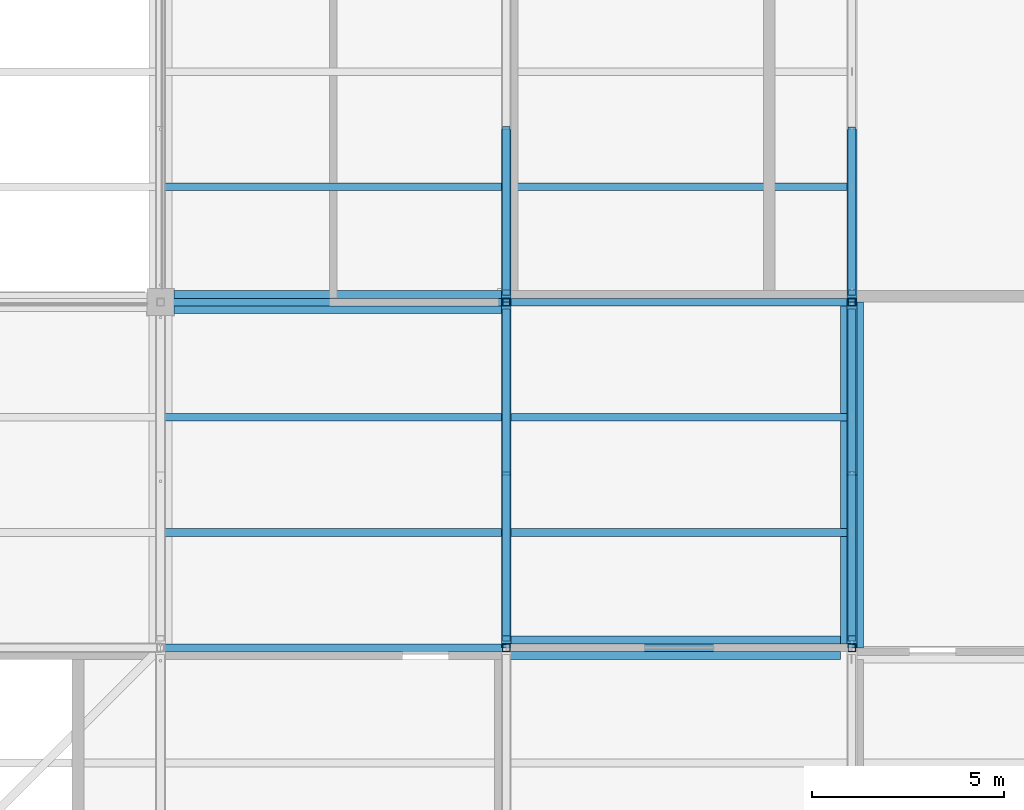
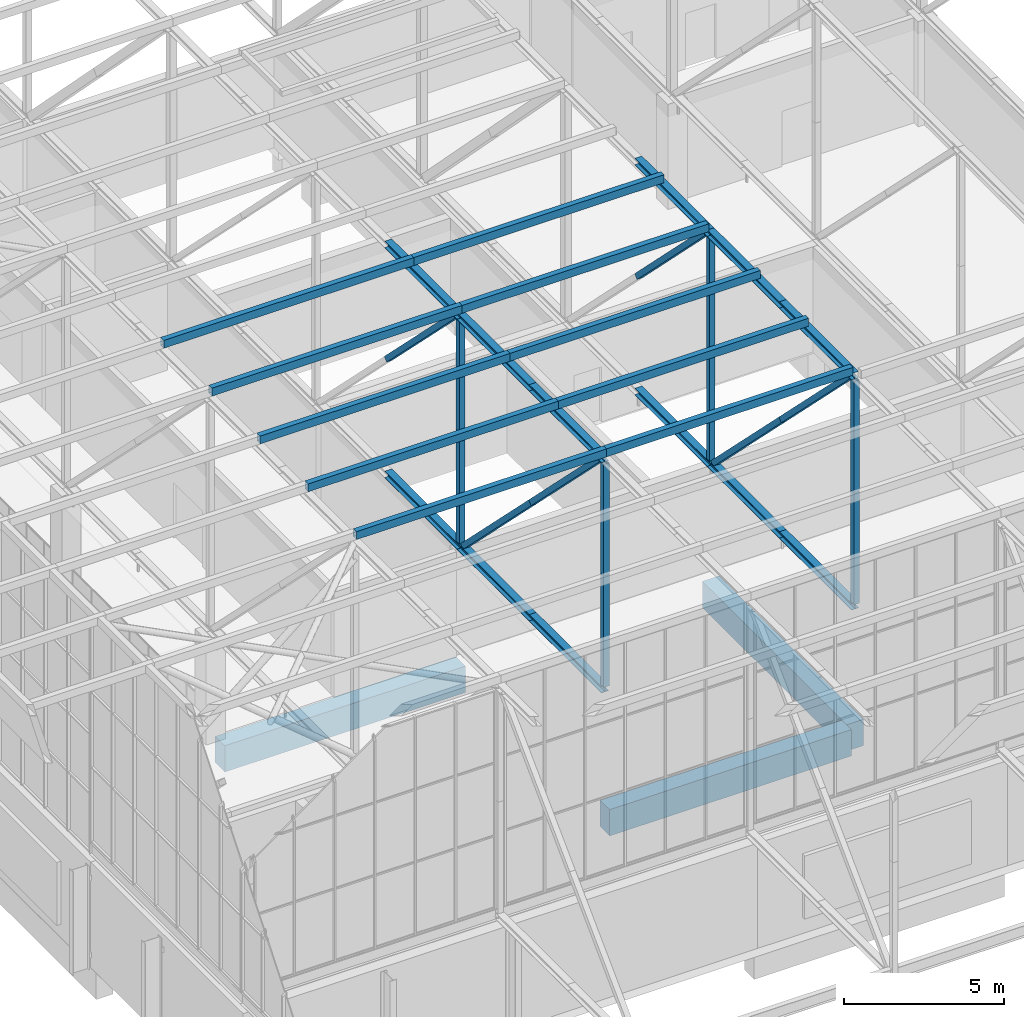
# One storey, part 15 of 646: 36 members, 3 beams.
"""IFC4 building model written with IfcOpenShell, lengths in metres."""

from ifc_helpers import new_model, si_unit, direction, frame, origin, origin_2d, place, context, subcontext, project, spatial, rectangle, hollow_rectangle, i_section, extrude, material, material_profile, profile_set, type_object, element, save


model = new_model("IFC4")

# Units and contexts
model_context = context("Model", 3, precision=1e-05, world=origin(), true_north=direction((0.0, 1.0)))
body_context = subcontext(model_context, "Body", "Model", "MODEL_VIEW")
ifc_project = project(units=[si_unit("LENGTHUNIT", "METRE"), si_unit("AREAUNIT", "SQUARE_METRE"), si_unit("VOLUMEUNIT", "CUBIC_METRE"), si_unit("PLANEANGLEUNIT", "RADIAN"), si_unit("MASSUNIT", "GRAM", prefix="KILO")], contexts=[model_context])

# Site, building, storey
site_placement = place(None, origin())
site = spatial("IfcSite", under=ifc_project, at=site_placement, CompositionType="ELEMENT")
building_placement = place(site_placement, origin())
building = spatial("IfcBuilding", under=site, at=building_placement, Name="Silverbay Arena", CompositionType="ELEMENT")
storey_placement = place(building_placement, frame((0.0, 0.0, 33.5)))
storey = spatial("IfcBuildingStorey", under=building, at=storey_placement, Name="L05", CompositionType="ELEMENT", Elevation=33.5)

# Members
ifc_material_1 = material(Name="Steel S355", Category="steel")
ifc_material_profile_1 = material_profile(ifc_material_1, i_section(OverallWidth=0.254638671875, OverallDepth=0.254150390625, WebThickness=0.008544921875, FlangeThickness=0.01416015625, at=origin_2d()), Name="UC 254x254x73")
ifc_profile_set_1 = profile_set([ifc_material_profile_1], Name="Steel S355")
member_type_1 = type_object("IfcMemberType", Name="Long-span bottom chord UC 254x254x73", PredefinedType="CHORD", material=ifc_profile_set_1)
for number, where, z_axis, x_axis, name in (
    (1, (81.0, 27.0, 4.126953125), (0.0, 1.0, 0.0), (-1.0, 0.0, 0.0), "ROOF TRUSS 10 bottom chord 03a"),
    (2, (81.0, 31.5, 4.126953125), (0.0, 1.0, 0.0), (-1.0, 0.0, 0.0), "ROOF TRUSS 10 bottom chord 03b"),
    (3, (81.0, 36.0, 4.126953125), (0.0, 1.0, 0.0), (-1.0, 0.0, 0.0), "ROOF TRUSS 10 bottom chord 04a"),
):
    element("IfcMember", number, at=place(storey_placement, frame(where, z_axis=z_axis, x_axis=x_axis)), inside=storey, type_object=member_type_1, Name=name, PredefinedType="CHORD", context=body_context, shape_type="SweptSolid", body=[
        extrude(i_section(OverallWidth=0.254638671875, OverallDepth=0.254150390625, WebThickness=0.008544921875, FlangeThickness=0.01416015625, at=origin_2d()), origin(), (0.0, 0.0, 1.0), 4.5),
    ])
ifc_material_2 = material(Name="Steel S355", Category="steel")
ifc_material_profile_2 = material_profile(ifc_material_2, i_section(OverallWidth=0.254638671875, OverallDepth=0.254150390625, WebThickness=0.008544921875, FlangeThickness=0.01416015625, at=origin_2d()), Name="UC 254x254x73")
ifc_profile_set_2 = profile_set([ifc_material_profile_2], Name="Steel S355")
member_type_2 = type_object("IfcMemberType", Name="Long-span top chord UC 254x254x73", PredefinedType="CHORD", material=ifc_profile_set_2)
for number, where, z_axis, x_axis, name in (
    (4, (81.0, 27.0, 12.873046875), (0.0, 1.0, 0.0), (-1.0, 0.0, 0.0), "ROOF TRUSS 10 top chord 03a"),
    (5, (81.0, 31.5, 12.873046875), (0.0, 1.0, 0.0), (-1.0, 0.0, 0.0), "ROOF TRUSS 10 top chord 03b"),
    (6, (81.0, 36.0, 12.873046875), (0.0, 1.0, 0.0), (-1.0, 0.0, 0.0), "ROOF TRUSS 10 top chord 04a"),
):
    element("IfcMember", number, at=place(storey_placement, frame(where, z_axis=z_axis, x_axis=x_axis)), inside=storey, type_object=member_type_2, Name=name, PredefinedType="CHORD", context=body_context, shape_type="SweptSolid", body=[
        extrude(i_section(OverallWidth=0.254638671875, OverallDepth=0.254150390625, WebThickness=0.008544921875, FlangeThickness=0.01416015625, at=origin_2d()), origin(), (0.0, 0.0, 1.0), 4.5),
    ])
ifc_material_3 = material(Name="Steel S355", Category="steel")
ifc_material_profile_3 = material_profile(ifc_material_3, hollow_rectangle(XDim=0.199951171875, YDim=0.199951171875, WallThickness=0.008056640625, at=origin_2d()), Name="SHS 200x200x8")
ifc_profile_set_3 = profile_set([ifc_material_profile_3], Name="Steel S355")
member_type_3 = type_object("IfcMemberType", Name="Long-span truss diagonal SHS 200x200x8", PredefinedType="BRACE", material=ifc_profile_set_3)
for number, where, z_axis, x_axis, name in (
    (7, (81.0, 27.24560546875, 12.745849609375), (0.0, 0.70781724692, -0.706395600894), (-1.0, 0.0, 0.0), "ROOF TRUSS 10 diagonal 03a"),
    (8, (81.0, 31.5, 8.5), (0.0, 0.70781724692, -0.706395600894), (-1.0, 0.0, 0.0), "ROOF TRUSS 10 diagonal 03b"),
):
    element("IfcMember", number, at=place(storey_placement, frame(where, z_axis=z_axis, x_axis=x_axis)), inside=storey, type_object=member_type_3, Name=name, PredefinedType="BRACE", context=body_context, shape_type="SweptSolid", body=[
        extrude(hollow_rectangle(XDim=0.199951171875, YDim=0.199951171875, WallThickness=0.008056640625, at=origin_2d()), origin(), (0.0, 0.0, 1.0), 6.010498046875),
    ])
member_1_placement = place(storey_placement, frame((81.0, 36.24560546875, 12.745849609375), z_axis=(0.0, 0.706781281828, -0.707432130778), x_axis=(-1.0, 0.0, 0.0)))
element("IfcMember", 9, at=member_1_placement, inside=storey, type_object=member_type_3, Name="ROOF TRUSS 10 diagonal 04a", PredefinedType="BRACE", context=body_context, shape_type="SweptSolid", body=[
    extrude(hollow_rectangle(XDim=0.199951171875, YDim=0.199951171875, WallThickness=0.008056640625, at=origin_2d()), origin(), (0.0, 0.0, 1.0), 6.001708984375),
])
ifc_material_4 = material(Name="Steel S355", Category="steel")
ifc_material_profile_4 = material_profile(ifc_material_4, hollow_rectangle(XDim=0.199951171875, YDim=0.199951171875, WallThickness=0.008056640625, at=origin_2d()), Name="SHS 200x200x8")
ifc_profile_set_4 = profile_set([ifc_material_profile_4], Name="Steel S355")
member_type_4 = type_object("IfcMemberType", Name="Long-span truss vertical SHS 200x200x8", PredefinedType="STRUT", material=ifc_profile_set_4)
for number, where, z_axis, x_axis, name in (
    (10, (81.0, 27.0, 4.254150390625), (0.0, 0.0, 1.0), (1.0, 0.0, 0.0), "ROOF TRUSS 10 vertical 03a"),
    (11, (81.0, 27.0, 8.5), (0.0, 0.0, 1.0), (1.0, 0.0, 0.0), "ROOF TRUSS 10 vertical 03b"),
    (12, (81.0, 36.0, 4.254150390625), (0.0, 0.0, 1.0), (1.0, 0.0, 0.0), "ROOF TRUSS 10 vertical 04a"),
    (13, (81.0, 36.0, 8.5), (0.0, 0.0, 1.0), (1.0, 0.0, 0.0), "ROOF TRUSS 10 vertical 04b"),
):
    element("IfcMember", number, at=place(storey_placement, frame(where, z_axis=z_axis, x_axis=x_axis)), inside=storey, type_object=member_type_4, Name=name, PredefinedType="STRUT", context=body_context, shape_type="SweptSolid", body=[
        extrude(hollow_rectangle(XDim=0.199951171875, YDim=0.199951171875, WallThickness=0.008056640625, at=origin_2d()), origin(), (0.0, 0.0, 1.0), 4.245849609375),
    ])
ifc_material_5 = material(Name="Steel S355", Category="steel")
ifc_material_profile_5 = material_profile(ifc_material_5, i_section(OverallWidth=0.254638671875, OverallDepth=0.254150390625, WebThickness=0.008544921875, FlangeThickness=0.01416015625, at=origin_2d()), Name="UC 254x254x73")
ifc_profile_set_5 = profile_set([ifc_material_profile_5], Name="Steel S355")
member_type_5 = type_object("IfcMemberType", Name="Medium-span bottom chord UC 254x254x73", PredefinedType="CHORD", material=ifc_profile_set_5)
for number, where, z_axis, x_axis, name in (
    (14, (72.0, 27.0, 4.126953125), (0.0, 1.0, 0.0), (-1.0, 0.0, 0.0), "ROOF TRUSS 9 bottom chord 03a"),
    (15, (72.0, 31.5, 4.126953125), (0.0, 1.0, 0.0), (-1.0, 0.0, 0.0), "ROOF TRUSS 9 bottom chord 03b"),
    (16, (72.0, 36.0, 4.126953125), (0.0, 1.0, 0.0), (-1.0, 0.0, 0.0), "ROOF TRUSS 9 bottom chord 04a"),
):
    element("IfcMember", number, at=place(storey_placement, frame(where, z_axis=z_axis, x_axis=x_axis)), inside=storey, type_object=member_type_5, Name=name, PredefinedType="CHORD", context=body_context, shape_type="SweptSolid", body=[
        extrude(i_section(OverallWidth=0.254638671875, OverallDepth=0.254150390625, WebThickness=0.008544921875, FlangeThickness=0.01416015625, at=origin_2d()), origin(), (0.0, 0.0, 1.0), 4.5),
    ])
ifc_material_6 = material(Name="Steel S355", Category="steel")
ifc_material_profile_6 = material_profile(ifc_material_6, i_section(OverallWidth=0.254638671875, OverallDepth=0.254150390625, WebThickness=0.008544921875, FlangeThickness=0.01416015625, at=origin_2d()), Name="UC 254x254x73")
ifc_profile_set_6 = profile_set([ifc_material_profile_6], Name="Steel S355")
member_type_6 = type_object("IfcMemberType", Name="Medium-span top chord UC 254x254x73", PredefinedType="CHORD", material=ifc_profile_set_6)
for number, where, z_axis, x_axis, name in (
    (17, (72.0, 27.0, 12.873046875), (0.0, 1.0, 0.0), (-1.0, 0.0, 0.0), "ROOF TRUSS 9 top chord 03a"),
    (18, (72.0, 31.5, 12.873046875), (0.0, 1.0, 0.0), (-1.0, 0.0, 0.0), "ROOF TRUSS 9 top chord 03b"),
    (19, (72.0, 36.0, 12.873046875), (0.0, 1.0, 0.0), (-1.0, 0.0, 0.0), "ROOF TRUSS 9 top chord 04a"),
):
    element("IfcMember", number, at=place(storey_placement, frame(where, z_axis=z_axis, x_axis=x_axis)), inside=storey, type_object=member_type_6, Name=name, PredefinedType="CHORD", context=body_context, shape_type="SweptSolid", body=[
        extrude(i_section(OverallWidth=0.254638671875, OverallDepth=0.254150390625, WebThickness=0.008544921875, FlangeThickness=0.01416015625, at=origin_2d()), origin(), (0.0, 0.0, 1.0), 4.5),
    ])
ifc_material_7 = material(Name="Steel S355", Category="steel")
ifc_material_profile_7 = material_profile(ifc_material_7, hollow_rectangle(XDim=0.199951171875, YDim=0.199951171875, WallThickness=0.008056640625, at=origin_2d()), Name="SHS 200x200x8")
ifc_profile_set_7 = profile_set([ifc_material_profile_7], Name="Steel S355")
member_type_7 = type_object("IfcMemberType", Name="Medium-span truss diagonal SHS 200x200x8", PredefinedType="BRACE", material=ifc_profile_set_7)
for number, where, z_axis, x_axis, name in (
    (20, (72.0, 27.24560546875, 12.745849609375), (0.0, 0.70781724692, -0.706395600894), (-1.0, 0.0, 0.0), "ROOF TRUSS 9 diagonal 03a"),
    (21, (72.0, 31.5, 8.5), (0.0, 0.70781724692, -0.706395600894), (-1.0, 0.0, 0.0), "ROOF TRUSS 9 diagonal 03b"),
    (22, (72.0, 36.24560546875, 12.745849609375), (0.0, 0.70781724692, -0.706395600894), (-1.0, 0.0, 0.0), "ROOF TRUSS 9 diagonal 04a"),
):
    element("IfcMember", number, at=place(storey_placement, frame(where, z_axis=z_axis, x_axis=x_axis)), inside=storey, type_object=member_type_7, Name=name, PredefinedType="BRACE", context=body_context, shape_type="SweptSolid", body=[
        extrude(hollow_rectangle(XDim=0.199951171875, YDim=0.199951171875, WallThickness=0.008056640625, at=origin_2d()), origin(), (0.0, 0.0, 1.0), 6.010498046875),
    ])
ifc_material_8 = material(Name="Steel S355", Category="steel")
ifc_material_profile_8 = material_profile(ifc_material_8, hollow_rectangle(XDim=0.199951171875, YDim=0.199951171875, WallThickness=0.008056640625, at=origin_2d()), Name="SHS 200x200x8")
ifc_profile_set_8 = profile_set([ifc_material_profile_8], Name="Steel S355")
member_type_8 = type_object("IfcMemberType", Name="Medium-span truss vertical SHS 200x200x8", PredefinedType="STRUT", material=ifc_profile_set_8)
for number, where, z_axis, x_axis, name in (
    (23, (72.0, 27.0, 4.254150390625), (0.0, 0.0, 1.0), (1.0, 0.0, 0.0), "ROOF TRUSS 9 vertical 03a"),
    (24, (72.0, 27.0, 8.5), (0.0, 0.0, 1.0), (1.0, 0.0, 0.0), "ROOF TRUSS 9 vertical 03b"),
    (25, (72.0, 36.0, 4.254150390625), (0.0, 0.0, 1.0), (1.0, 0.0, 0.0), "ROOF TRUSS 9 vertical 04a"),
    (26, (72.0, 36.0, 8.5), (0.0, 0.0, 1.0), (1.0, 0.0, 0.0), "ROOF TRUSS 9 vertical 04b"),
):
    element("IfcMember", number, at=place(storey_placement, frame(where, z_axis=z_axis, x_axis=x_axis)), inside=storey, type_object=member_type_8, Name=name, PredefinedType="STRUT", context=body_context, shape_type="SweptSolid", body=[
        extrude(hollow_rectangle(XDim=0.199951171875, YDim=0.199951171875, WallThickness=0.008056640625, at=origin_2d()), origin(), (0.0, 0.0, 1.0), 4.245849609375),
    ])
ifc_material_9 = material(Name="Steel S355", Category="steel")
ifc_material_profile_9 = material_profile(ifc_material_9, hollow_rectangle(XDim=0.199951171875, YDim=0.300048828125, WallThickness=0.00634765625, at=origin_2d()), Name="RHS 300x200x6.3")
ifc_profile_set_9 = profile_set([ifc_material_profile_9], Name="Steel S355")
member_type_9 = type_object("IfcMemberType", Name="Purlin RHS 300x200x6.3", PredefinedType="PURLIN", material=ifc_profile_set_9)
for number, where, z_axis, x_axis, name in (
    (27, (63.0, 27.0, 13.14990234375), (1.0, 0.0, 0.0), (0.0, 1.0, 0.0), "ROOF PURLIN 8-9 line 07"),
    (28, (63.0, 30.0, 13.14990234375), (1.0, 0.0, 0.0), (0.0, 1.0, 0.0), "ROOF PURLIN 8-9 line 08"),
    (29, (63.0, 33.0, 13.14990234375), (1.0, 0.0, 0.0), (0.0, 1.0, 0.0), "ROOF PURLIN 8-9 line 09"),
    (30, (63.0, 36.0, 13.14990234375), (1.0, 0.0, 0.0), (0.0, 1.0, 0.0), "ROOF PURLIN 8-9 line 10"),
    (31, (63.0, 39.0, 13.14990234375), (1.0, 0.0, 0.0), (0.0, 1.0, 0.0), "ROOF PURLIN 8-9 line 11"),
):
    element("IfcMember", number, at=place(storey_placement, frame(where, z_axis=z_axis, x_axis=x_axis)), inside=storey, type_object=member_type_9, Name=name, PredefinedType="PURLIN", context=body_context, shape_type="SweptSolid", body=[
        extrude(hollow_rectangle(XDim=0.199951171875, YDim=0.300048828125, WallThickness=0.00634765625, at=origin_2d()), origin(), (0.0, 0.0, 1.0), 9.0),
    ])
member_2_placement = place(storey_placement, frame((72.0, 27.0, 13.14990234375), z_axis=(1.0, 0.0, 0.0), x_axis=(0.0, 1.0, 0.0)))
element("IfcMember", 32, at=member_2_placement, inside=storey, type_object=member_type_9, Name="ROOF PURLIN 9-10 line 07", PredefinedType="PURLIN", context=body_context, shape_type="SweptSolid", body=[
    extrude(hollow_rectangle(XDim=0.199951171875, YDim=0.300048828125, WallThickness=0.00634765625, at=origin_2d()), origin(), (0.0, 0.0, 1.0), 8.875),
])
for number, where, z_axis, x_axis, name in (
    (33, (72.0, 30.0, 13.14990234375), (1.0, 0.0, 0.0), (0.0, 1.0, 0.0), "ROOF PURLIN 9-10 line 08"),
    (34, (72.0, 33.0, 13.14990234375), (1.0, 0.0, 0.0), (0.0, 1.0, 0.0), "ROOF PURLIN 9-10 line 09"),
):
    element("IfcMember", number, at=place(storey_placement, frame(where, z_axis=z_axis, x_axis=x_axis)), inside=storey, type_object=member_type_9, Name=name, PredefinedType="PURLIN", context=body_context, shape_type="SweptSolid", body=[
        extrude(hollow_rectangle(XDim=0.199951171875, YDim=0.300048828125, WallThickness=0.00634765625, at=origin_2d()), origin(), (0.0, 0.0, 1.0), 9.0),
    ])
member_3_placement = place(storey_placement, frame((72.0, 36.0, 13.14990234375), z_axis=(1.0, 0.0, 0.0), x_axis=(0.0, 1.0, 0.0)))
element("IfcMember", 35, at=member_3_placement, inside=storey, type_object=member_type_9, Name="ROOF PURLIN 9-10 line 10", PredefinedType="PURLIN", context=body_context, shape_type="SweptSolid", body=[
    extrude(hollow_rectangle(XDim=0.199951171875, YDim=0.300048828125, WallThickness=0.00634765625, at=origin_2d()), origin(), (0.0, 0.0, 1.0), 8.875),
])
member_4_placement = place(storey_placement, frame((72.0, 39.0, 13.14990234375), z_axis=(1.0, 0.0, 0.0), x_axis=(0.0, 1.0, 0.0)))
element("IfcMember", 36, at=member_4_placement, inside=storey, type_object=member_type_9, Name="ROOF PURLIN 9-10 line 11", PredefinedType="PURLIN", context=body_context, shape_type="SweptSolid", body=[
    extrude(hollow_rectangle(XDim=0.199951171875, YDim=0.300048828125, WallThickness=0.00634765625, at=origin_2d()), origin(), (0.0, 0.0, 1.0), 9.0),
])

# Beams
ifc_material_10 = material(Name="Concrete Grade C45", Category="concrete")
ifc_material_profile_10 = material_profile(ifc_material_10, rectangle(XDim=0.60009765625, YDim=1.0, at=origin_2d()), Name="RC 600x1000")
ifc_profile_set_10 = profile_set([ifc_material_profile_10], Name="Concrete Grade C45")
beam_type = type_object("IfcBeamType", Name="RC beam 600x1000", PredefinedType="BEAM", material=ifc_profile_set_10)
beam_1_placement = place(storey_placement, frame((72.0, 27.0, -0.800048828125), z_axis=(1.0, 0.0, 0.0), x_axis=(0.0, 1.0, 0.0)))
element("IfcBeam", 37, at=beam_1_placement, inside=storey, type_object=beam_type, Name="Floor beam L05 006", PredefinedType="BEAM", context=body_context, shape_type="SweptSolid", body=[
    extrude(rectangle(XDim=0.60009765625, YDim=1.0, at=origin_2d()), origin(), (0.0, 0.0, 1.0), 8.699951171875),
])
beam_2_placement = place(storey_placement, frame((63.35009765625, 36.0, -0.800048828125), z_axis=(1.0, 0.0, 0.0), x_axis=(0.0, 1.0, 0.0)))
element("IfcBeam", 38, at=beam_2_placement, inside=storey, type_object=beam_type, Name="Floor beam L05 012", PredefinedType="BEAM", context=body_context, shape_type="SweptSolid", body=[
    extrude(rectangle(XDim=0.60009765625, YDim=1.0, at=origin_2d()), origin(), (0.0, 0.0, 1.0), 8.64990234375),
])
beam_3_placement = place(storey_placement, frame((81.0, 27.0, -0.800048828125), z_axis=(0.0, 1.0, 0.0), x_axis=(-1.0, 0.0, 0.0)))
element("IfcBeam", 39, at=beam_3_placement, inside=storey, type_object=beam_type, Name="Floor beam L05 087", PredefinedType="BEAM", context=body_context, shape_type="SweptSolid", body=[
    extrude(rectangle(XDim=0.60009765625, YDim=1.0, at=origin_2d()), origin(), (0.0, 0.0, 1.0), 9.0),
])

save(model, "model.ifc")
